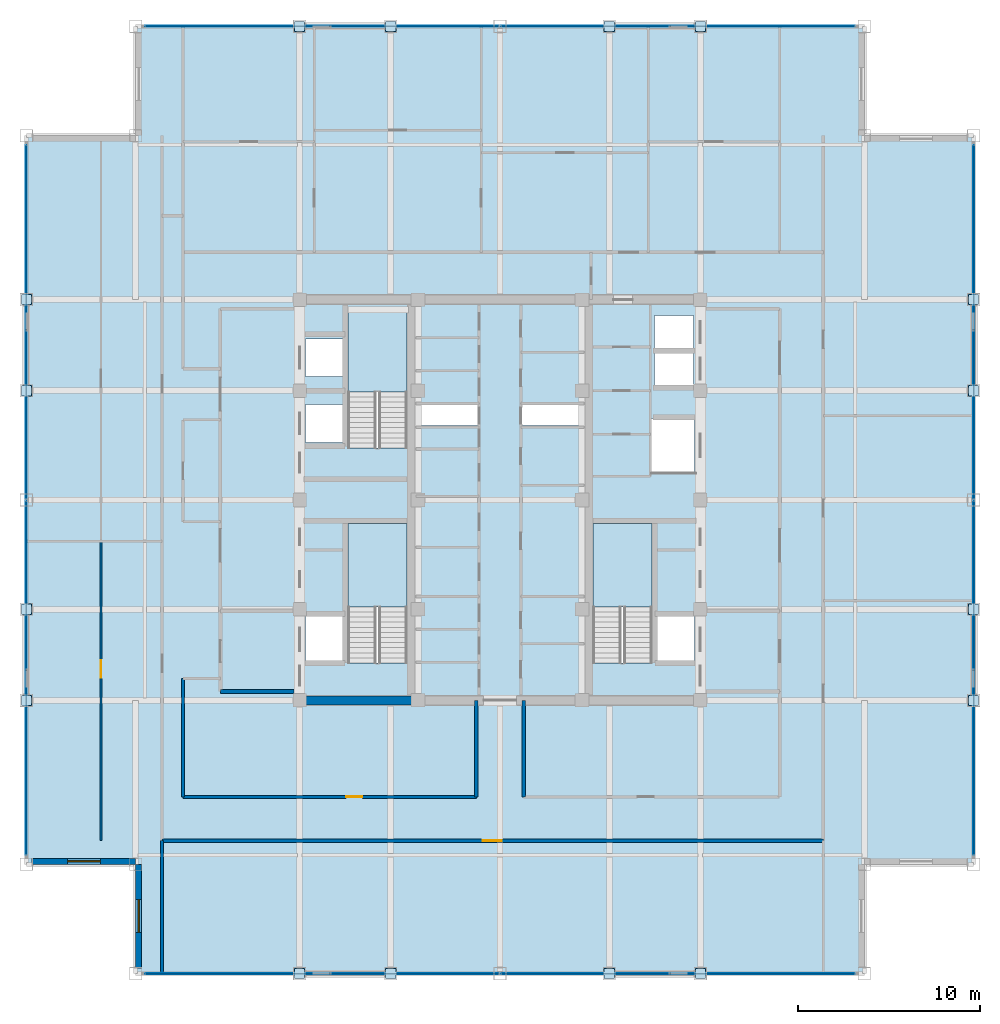
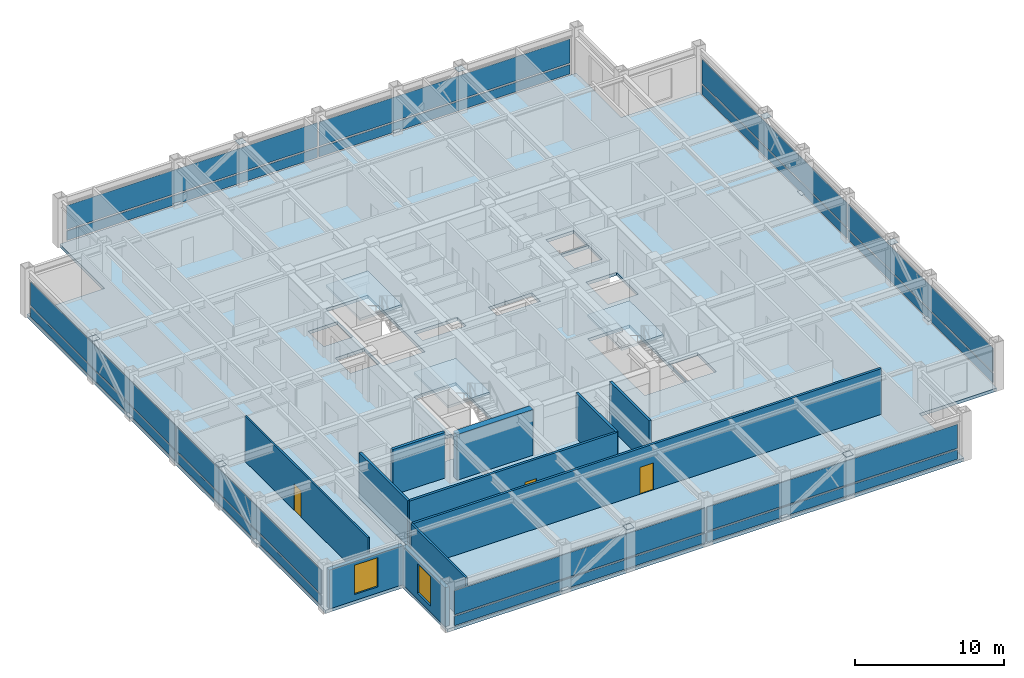
# One storey, part 23 of 29: 32 plates, 11 walls, 4 slabs, 3 doors, 2 windows, 5 openings, 7 elements without a shape of their own.
"""IFC4 building model written with IfcOpenShell, lengths in metres."""

from ifc_helpers import new_model, si_unit, direction, frame, frame_2d, origin, origin_2d, place, context, subcontext, project, spatial, polyline, rectangle, outline, extrude, source, transform, mapped, material, layer, layer_set, type_object, element, fill, aggregate, save


model = new_model("IFC4")

# Units and contexts
model_context = context("Model", 3, precision=1e-05, world=origin(), true_north=direction((0.0, 1.0)))
body_context = subcontext(model_context, "Body", "Model", "MODEL_VIEW")
ifc_project = project(units=[si_unit("LENGTHUNIT", "METRE"), si_unit("AREAUNIT", "SQUARE_METRE"), si_unit("VOLUMEUNIT", "CUBIC_METRE"), si_unit("PLANEANGLEUNIT", "RADIAN"), si_unit("MASSUNIT", "GRAM", prefix="KILO")], contexts=[model_context])

# Site, building, storey
site_placement = place(None, origin())
site = spatial("IfcSite", under=ifc_project, at=site_placement, CompositionType="ELEMENT")
building_placement = place(site_placement, origin())
building = spatial("IfcBuilding", under=site, at=building_placement, Name="Khorayat Bourse Tower", CompositionType="ELEMENT")
storey_placement = place(building_placement, frame((0.0, 0.0, 362.300048828125)))
storey = spatial("IfcBuildingStorey", under=building, at=storey_placement, Name="L86", CompositionType="ELEMENT", Elevation=362.300048828125)

# Stair, slab
ifc_material_1 = material(Name="Concrete C40/50", Category="concrete")
stair_type = type_object("IfcStairType", Name="STR-CORE-1550", PredefinedType="HALF_TURN_STAIR", material=ifc_material_1)
stair_1_placement = place(storey_placement, origin())
stair_1 = element("IfcStair", 1, at=stair_1_placement, inside=storey, type_object=stair_type, Name="L86 Exit Stair ST-1", PredefinedType="HALF_TURN_STAIR")
ifc_layer_1 = layer(ifc_material_1, 0.199951171875)
ifc_layer_set_1 = layer_set([ifc_layer_1], Name="Concrete C40/50")
slab_type_1 = type_object("IfcSlabType", Name="SLB-LANDING-200", PredefinedType="LANDING", material=ifc_layer_set_1)
slab_1_placement = place(storey_placement, frame((0.0, 0.0, 1.800048828125)))
slab_1 = element("IfcSlab", 2, at=slab_1_placement, type_object=slab_type_1, Name="ST-1 landing 1", PredefinedType="LANDING", context=body_context, shape_type="SweptSolid", body=[
    extrude(outline(polyline([(-5.10009765625, -5.8701171875), (-5.10009765625, -1.300048828125), (-8.35009765625, -1.300048828125), (-8.35009765625, -5.8701171875), (-5.10009765625, -5.8701171875)])), origin(), (0.0, 0.0, 1.0), 0.199951171875),
])
aggregate(stair_1, [slab_1])

stair_2_placement = place(storey_placement, origin())
stair_2 = element("IfcStair", 3, at=stair_2_placement, inside=storey, type_object=stair_type, Name="L86 Exit Stair ST-2", PredefinedType="HALF_TURN_STAIR")
slab_2_placement = place(storey_placement, frame((0.0, 0.0, 1.800048828125)))
slab_2 = element("IfcSlab", 4, at=slab_2_placement, type_object=slab_type_1, Name="ST-2 landing 1", PredefinedType="LANDING", context=body_context, shape_type="SweptSolid", body=[
    extrude(outline(polyline([(-5.10009765625, 5.929931640625), (-5.10009765625, 10.5), (-8.35009765625, 10.5), (-8.35009765625, 5.929931640625), (-5.10009765625, 5.929931640625)])), origin(), (0.0, 0.0, 1.0), 0.199951171875),
])
aggregate(stair_2, [slab_2])

stair_3_placement = place(storey_placement, origin())
stair_3 = element("IfcStair", 5, at=stair_3_placement, inside=storey, type_object=stair_type, Name="L86 Exit Stair ST-3", PredefinedType="HALF_TURN_STAIR")
slab_3_placement = place(storey_placement, frame((0.0, 0.0, 1.800048828125)))
slab_3 = element("IfcSlab", 6, at=slab_3_placement, type_object=slab_type_1, Name="ST-3 landing 1", PredefinedType="LANDING", context=body_context, shape_type="SweptSolid", body=[
    extrude(outline(polyline([(8.35009765625, -5.8701171875), (8.35009765625, -1.300048828125), (5.10009765625, -1.300048828125), (5.10009765625, -5.8701171875), (8.35009765625, -5.8701171875)])), origin(), (0.0, 0.0, 1.0), 0.199951171875),
])
aggregate(stair_3, [slab_3])

# Slab
ifc_layer_2 = layer(ifc_material_1, 0.219970703125)
ifc_layer_set_2 = layer_set([ifc_layer_2], Name="Concrete C40/50")
slab_type_2 = type_object("IfcSlabType", Name="SLB-OFFICE-220", PredefinedType="FLOOR", material=ifc_layer_set_2)
slab_4_placement = place(storey_placement, frame((0.0, 0.0, -0.260009765625)))
element("IfcSlab", 7, at=slab_4_placement, inside=storey, type_object=slab_type_2, Name="L86 Main Floor Slab", PredefinedType="FLOOR", context=body_context, shape_type="SweptSolid", body=[
    extrude(outline(polyline([(-20.0, -26.0), (20.0, -26.0), (20.0, -20.0), (26.0, -20.0), (26.0, 20.0), (20.0, 20.0), (20.0, 26.0), (-20.0, 26.0), (-20.0, 20.0), (-26.0, 20.0), (-26.0, -20.0), (-20.0, -20.0), (-20.0, -26.0)]), holes=[polyline([(-8.35009765625, -8.945068359375), (-5.10009765625, -8.945068359375), (-5.10009765625, -1.300048828125), (-8.35009765625, -1.300048828125), (-8.35009765625, -8.945068359375)]), polyline([(-8.35009765625, 2.85498046875), (-5.10009765625, 2.85498046875), (-5.10009765625, 10.5), (-8.35009765625, 10.5), (-8.35009765625, 2.85498046875)]), polyline([(5.10009765625, -8.945068359375), (8.35009765625, -8.945068359375), (8.35009765625, -1.300048828125), (5.10009765625, -1.300048828125), (5.10009765625, -8.945068359375)]), polyline([(-10.679931640625, 3.169921875), (-8.419921875, 3.169921875), (-8.419921875, 5.22998046875), (-10.679931640625, 5.22998046875), (-10.679931640625, 3.169921875)]), polyline([(-10.679931640625, 6.77001953125), (-8.419921875, 6.77001953125), (-8.419921875, 8.830078125), (-10.679931640625, 8.830078125), (-10.679931640625, 6.77001953125)]), polyline([(8.469970703125, 6.27001953125), (10.6298828125, 6.27001953125), (10.6298828125, 8.1298828125), (8.469970703125, 8.1298828125), (8.469970703125, 6.27001953125)]), polyline([(8.469970703125, 8.27001953125), (10.6298828125, 8.27001953125), (10.6298828125, 10.1298828125), (8.469970703125, 10.1298828125), (8.469970703125, 8.27001953125)]), polyline([(-10.679931640625, -8.929931640625), (-8.419921875, -8.929931640625), (-8.419921875, -6.3701171875), (-10.679931640625, -6.3701171875), (-10.679931640625, -8.929931640625)]), polyline([(8.419921875, -8.929931640625), (10.679931640625, -8.929931640625), (10.679931640625, -6.3701171875), (8.419921875, -6.3701171875), (8.419921875, -8.929931640625)]), polyline([(8.320068359375, 1.52001953125), (10.679931640625, 1.52001953125), (10.679931640625, 4.47998046875), (8.320068359375, 4.47998046875), (8.320068359375, 1.52001953125)]), polyline([(-4.56005859375, 4.080078125), (-1.18994140625, 4.080078125), (-1.18994140625, 5.219970703125), (-4.56005859375, 5.219970703125), (-4.56005859375, 4.080078125)]), polyline([(1.18994140625, 4.080078125), (4.56005859375, 4.080078125), (4.56005859375, 5.219970703125), (1.18994140625, 5.219970703125), (1.18994140625, 4.080078125)])]), origin(), (0.0, 0.0, 1.0), 0.260009765625),
])

# Plates
ifc_material_2 = material(Name="Steel EN 10025-2 S355J2", Category="steel")
ifc_layer_3 = layer(ifc_material_2, 0.02490234375)
ifc_layer_set_3 = layer_set([ifc_layer_3], Name="Steel EN 10025-2 S355J2")
plate_type_1 = type_object("IfcPlateType", Name="PLT-ENDCAP-25", PredefinedType="SHEET", material=ifc_layer_set_3)
shared_shape_1 = source(origin(), body_context, "Body", "SweptSolid", [
    extrude(rectangle(XDim=0.56005859375, YDim=0.56005859375, at=origin_2d()), origin(), (0.0, 0.0, 1.0), 0.02490234375),
])
for number, where, z_axis, x_axis, name in (
    (8, (-11.0, -26.0, 0.237548828125), (0.0, 0.0, 1.0), (1.0, 0.0, 0.0), "L86 Perimeter Brace End Plate 001"),
    (9, (-6.0, -26.0, 3.4775390625), (0.0, 0.0, 1.0), (1.0, 0.0, 0.0), "L86 Perimeter Brace End Plate 002"),
    (10, (6.0, -26.0, 0.237548828125), (0.0, 0.0, 1.0), (1.0, 0.0, 0.0), "L86 Perimeter Brace End Plate 003"),
    (11, (11.0, -26.0, 3.4775390625), (0.0, 0.0, 1.0), (1.0, 0.0, 0.0), "L86 Perimeter Brace End Plate 004"),
    (12, (-11.0, 26.0, 0.237548828125), (0.0, 0.0, 1.0), (1.0, 0.0, 0.0), "L86 Perimeter Brace End Plate 005"),
    (13, (-6.0, 26.0, 3.4775390625), (0.0, 0.0, 1.0), (1.0, 0.0, 0.0), "L86 Perimeter Brace End Plate 006"),
    (14, (6.0, 26.0, 0.237548828125), (0.0, 0.0, 1.0), (1.0, 0.0, 0.0), "L86 Perimeter Brace End Plate 007"),
    (15, (11.0, 26.0, 3.4775390625), (0.0, 0.0, 1.0), (1.0, 0.0, 0.0), "L86 Perimeter Brace End Plate 008"),
    (16, (-26.0, -11.0, 0.237548828125), (0.0, 0.0, 1.0), (1.0, 0.0, 0.0), "L86 Perimeter Brace End Plate 009"),
    (17, (-26.0, -6.0, 3.4775390625), (0.0, 0.0, 1.0), (1.0, 0.0, 0.0), "L86 Perimeter Brace End Plate 010"),
    (18, (-26.0, 6.0, 0.237548828125), (0.0, 0.0, 1.0), (1.0, 0.0, 0.0), "L86 Perimeter Brace End Plate 011"),
    (19, (-26.0, 11.0, 3.4775390625), (0.0, 0.0, 1.0), (1.0, 0.0, 0.0), "L86 Perimeter Brace End Plate 012"),
    (20, (26.0, -11.0, 0.237548828125), (0.0, 0.0, 1.0), (1.0, 0.0, 0.0), "L86 Perimeter Brace End Plate 013"),
    (21, (26.0, -6.0, 3.4775390625), (0.0, 0.0, 1.0), (1.0, 0.0, 0.0), "L86 Perimeter Brace End Plate 014"),
    (22, (26.0, 6.0, 0.237548828125), (0.0, 0.0, 1.0), (1.0, 0.0, 0.0), "L86 Perimeter Brace End Plate 015"),
    (23, (26.0, 11.0, 3.4775390625), (0.0, 0.0, 1.0), (1.0, 0.0, 0.0), "L86 Perimeter Brace End Plate 016"),
):
    element("IfcPlate", number, at=place(storey_placement, frame(where, z_axis=z_axis, x_axis=x_axis)), inside=storey, type_object=plate_type_1, Name=name, PredefinedType="SHEET", context=body_context, shape_type="MappedRepresentation", body=[
        mapped(shared_shape_1, transform((0.0, 0.0, 0.0), scale=1.0)),
    ])

# Curtain wall, plates
ifc_material_3 = material(Name="Aluminium EN AW-6063 T6", Category="aluminium")
curtain_wall_type = type_object("IfcCurtainWallType", Name="CW-SYS-04", PredefinedType="NOTDEFINED", material=ifc_material_3)
curtain_wall_1_placement = place(storey_placement, origin())
curtain_wall_1 = element("IfcCurtainWall", 24, at=curtain_wall_1_placement, inside=storey, type_object=curtain_wall_type, Name="L86 Curtain Wall CW-L86-S1", PredefinedType="NOTDEFINED")
ifc_material_4 = material(Name="Honed desert limestone insulated spandrel", Category="masonry")
ifc_layer_4 = layer(ifc_material_4, 0.06494140625)
ifc_layer_set_4 = layer_set([ifc_layer_4], Name="Honed desert limestone insulated spandrel")
plate_type_2 = type_object("IfcPlateType", Name="CWP-SPAND-03", PredefinedType="CURTAIN_PANEL", material=ifc_layer_set_4)
shared_shape_2 = source(origin(), body_context, "Body", "SweptSolid", [
    extrude(rectangle(XDim=19.419921875, YDim=0.06494140625, at=origin_2d()), origin(), (0.0, 0.0, 1.0), 0.77001953125),
])
plate_1_placement = place(storey_placement, frame((-9.77001953125, -26.0, 0.119873046875), z_axis=(0.0, 0.0, 1.0), x_axis=(1.0, 0.0, 0.0)))
plate_1 = element("IfcPlate", 25, at=plate_1_placement, type_object=plate_type_2, Name="CW-L86-S1 Spandrel Panel 1-1", PredefinedType="CURTAIN_PANEL", context=body_context, shape_type="MappedRepresentation", body=[
    mapped(shared_shape_2, transform((0.0, 0.0, 0.0), scale=1.0)),
])
plate_2_placement = place(storey_placement, frame((9.77001953125, -26.0, 0.119873046875), z_axis=(0.0, 0.0, 1.0), x_axis=(1.0, 0.0, 0.0)))
plate_2 = element("IfcPlate", 26, at=plate_2_placement, type_object=plate_type_2, Name="CW-L86-S1 Spandrel Panel 2-1", PredefinedType="CURTAIN_PANEL", context=body_context, shape_type="MappedRepresentation", body=[
    mapped(shared_shape_2, transform((0.0, 0.0, 0.0), scale=1.0)),
])

curtain_wall_2_placement = place(storey_placement, origin())
curtain_wall_2 = element("IfcCurtainWall", 27, at=curtain_wall_2_placement, inside=storey, type_object=curtain_wall_type, Name="L86 Curtain Wall CW-L86-N1", PredefinedType="NOTDEFINED")
plate_3_placement = place(storey_placement, frame((-9.77001953125, 26.0, 0.119873046875), z_axis=(0.0, 0.0, 1.0), x_axis=(1.0, 0.0, 0.0)))
plate_3 = element("IfcPlate", 28, at=plate_3_placement, type_object=plate_type_2, Name="CW-L86-N1 Spandrel Panel 1-1", PredefinedType="CURTAIN_PANEL", context=body_context, shape_type="MappedRepresentation", body=[
    mapped(shared_shape_2, transform((0.0, 0.0, 0.0), scale=1.0)),
])
plate_4_placement = place(storey_placement, frame((9.77001953125, 26.0, 0.119873046875), z_axis=(0.0, 0.0, 1.0), x_axis=(1.0, 0.0, 0.0)))
plate_4 = element("IfcPlate", 29, at=plate_4_placement, type_object=plate_type_2, Name="CW-L86-N1 Spandrel Panel 2-1", PredefinedType="CURTAIN_PANEL", context=body_context, shape_type="MappedRepresentation", body=[
    mapped(shared_shape_2, transform((0.0, 0.0, 0.0), scale=1.0)),
])

curtain_wall_3_placement = place(storey_placement, origin())
curtain_wall_3 = element("IfcCurtainWall", 30, at=curtain_wall_3_placement, inside=storey, type_object=curtain_wall_type, Name="L86 Curtain Wall CW-L86-W1", PredefinedType="NOTDEFINED")
plate_5_placement = place(storey_placement, frame((-26.0, -9.77001953125, 0.119873046875), z_axis=(0.0, 0.0, 1.0), x_axis=(0.0, 1.0, 0.0)))
plate_5 = element("IfcPlate", 31, at=plate_5_placement, type_object=plate_type_2, Name="CW-L86-W1 Spandrel Panel 1-1", PredefinedType="CURTAIN_PANEL", context=body_context, shape_type="MappedRepresentation", body=[
    mapped(shared_shape_2, transform((0.0, 0.0, 0.0), scale=1.0)),
])
plate_6_placement = place(storey_placement, frame((-26.0, 9.77001953125, 0.119873046875), z_axis=(0.0, 0.0, 1.0), x_axis=(0.0, 1.0, 0.0)))
plate_6 = element("IfcPlate", 32, at=plate_6_placement, type_object=plate_type_2, Name="CW-L86-W1 Spandrel Panel 2-1", PredefinedType="CURTAIN_PANEL", context=body_context, shape_type="MappedRepresentation", body=[
    mapped(shared_shape_2, transform((0.0, 0.0, 0.0), scale=1.0)),
])

curtain_wall_4_placement = place(storey_placement, origin())
curtain_wall_4 = element("IfcCurtainWall", 33, at=curtain_wall_4_placement, inside=storey, type_object=curtain_wall_type, Name="L86 Curtain Wall CW-L86-E1", PredefinedType="NOTDEFINED")
plate_7_placement = place(storey_placement, frame((26.0, -9.77001953125, 0.119873046875), z_axis=(0.0, 0.0, 1.0), x_axis=(0.0, 1.0, 0.0)))
plate_7 = element("IfcPlate", 34, at=plate_7_placement, type_object=plate_type_2, Name="CW-L86-E1 Spandrel Panel 1-1", PredefinedType="CURTAIN_PANEL", context=body_context, shape_type="MappedRepresentation", body=[
    mapped(shared_shape_2, transform((0.0, 0.0, 0.0), scale=1.0)),
])
plate_8_placement = place(storey_placement, frame((26.0, 9.77001953125, 0.119873046875), z_axis=(0.0, 0.0, 1.0), x_axis=(0.0, 1.0, 0.0)))
plate_8 = element("IfcPlate", 35, at=plate_8_placement, type_object=plate_type_2, Name="CW-L86-E1 Spandrel Panel 2-1", PredefinedType="CURTAIN_PANEL", context=body_context, shape_type="MappedRepresentation", body=[
    mapped(shared_shape_2, transform((0.0, 0.0, 0.0), scale=1.0)),
])

# Plate
ifc_material_5 = material(Name="Low-E solar-control laminated double glazing", Category="glass")
ifc_layer_5 = layer(ifc_material_5, 0.0419921875)
ifc_layer_set_5 = layer_set([ifc_layer_5], Name="Low-E solar-control laminated double glazing")
plate_type_3 = type_object("IfcPlateType", Name="CWP-FACET-02", PredefinedType="CURTAIN_PANEL", material=ifc_layer_set_5)
shared_shape_3 = source(origin(), body_context, "Body", "SweptSolid", [
    extrude(rectangle(XDim=19.419921875, YDim=0.0419921875, at=origin_2d()), origin(), (0.0, 0.0, 1.0), 1.9599609375),
])
plate_9_placement = place(storey_placement, frame((-9.77001953125, -26.0, 1.010009765625), z_axis=(0.0, 0.0, 1.0), x_axis=(1.0, 0.0, 0.0)))
plate_9 = element("IfcPlate", 36, at=plate_9_placement, type_object=plate_type_3, Name="CW-L86-S1 Vision Panel 1-2", PredefinedType="CURTAIN_PANEL", context=body_context, shape_type="MappedRepresentation", body=[
    mapped(shared_shape_3, transform((0.0, 0.0, 0.0), scale=1.0)),
])

plate_10_placement = place(storey_placement, frame((9.77001953125, -26.0, 1.010009765625), z_axis=(0.0, 0.0, 1.0), x_axis=(1.0, 0.0, 0.0)))
plate_10 = element("IfcPlate", 37, at=plate_10_placement, type_object=plate_type_3, Name="CW-L86-S1 Vision Panel 2-2", PredefinedType="CURTAIN_PANEL", context=body_context, shape_type="MappedRepresentation", body=[
    mapped(shared_shape_3, transform((0.0, 0.0, 0.0), scale=1.0)),
])

aggregate(curtain_wall_1, [plate_1, plate_9, plate_2, plate_10])

plate_11_placement = place(storey_placement, frame((-9.77001953125, 26.0, 1.010009765625), z_axis=(0.0, 0.0, 1.0), x_axis=(1.0, 0.0, 0.0)))
plate_11 = element("IfcPlate", 38, at=plate_11_placement, type_object=plate_type_3, Name="CW-L86-N1 Vision Panel 1-2", PredefinedType="CURTAIN_PANEL", context=body_context, shape_type="MappedRepresentation", body=[
    mapped(shared_shape_3, transform((0.0, 0.0, 0.0), scale=1.0)),
])

plate_12_placement = place(storey_placement, frame((9.77001953125, 26.0, 1.010009765625), z_axis=(0.0, 0.0, 1.0), x_axis=(1.0, 0.0, 0.0)))
plate_12 = element("IfcPlate", 39, at=plate_12_placement, type_object=plate_type_3, Name="CW-L86-N1 Vision Panel 2-2", PredefinedType="CURTAIN_PANEL", context=body_context, shape_type="MappedRepresentation", body=[
    mapped(shared_shape_3, transform((0.0, 0.0, 0.0), scale=1.0)),
])

aggregate(curtain_wall_2, [plate_3, plate_11, plate_4, plate_12])

plate_13_placement = place(storey_placement, frame((-26.0, -9.77001953125, 1.010009765625), z_axis=(0.0, 0.0, 1.0), x_axis=(0.0, 1.0, 0.0)))
plate_13 = element("IfcPlate", 40, at=plate_13_placement, type_object=plate_type_3, Name="CW-L86-W1 Vision Panel 1-2", PredefinedType="CURTAIN_PANEL", context=body_context, shape_type="MappedRepresentation", body=[
    mapped(shared_shape_3, transform((0.0, 0.0, 0.0), scale=1.0)),
])

plate_14_placement = place(storey_placement, frame((-26.0, 9.77001953125, 1.010009765625), z_axis=(0.0, 0.0, 1.0), x_axis=(0.0, 1.0, 0.0)))
plate_14 = element("IfcPlate", 41, at=plate_14_placement, type_object=plate_type_3, Name="CW-L86-W1 Vision Panel 2-2", PredefinedType="CURTAIN_PANEL", context=body_context, shape_type="MappedRepresentation", body=[
    mapped(shared_shape_3, transform((0.0, 0.0, 0.0), scale=1.0)),
])

aggregate(curtain_wall_3, [plate_5, plate_13, plate_6, plate_14])

plate_15_placement = place(storey_placement, frame((26.0, -9.77001953125, 1.010009765625), z_axis=(0.0, 0.0, 1.0), x_axis=(0.0, 1.0, 0.0)))
plate_15 = element("IfcPlate", 42, at=plate_15_placement, type_object=plate_type_3, Name="CW-L86-E1 Vision Panel 1-2", PredefinedType="CURTAIN_PANEL", context=body_context, shape_type="MappedRepresentation", body=[
    mapped(shared_shape_3, transform((0.0, 0.0, 0.0), scale=1.0)),
])

plate_16_placement = place(storey_placement, frame((26.0, 9.77001953125, 1.010009765625), z_axis=(0.0, 0.0, 1.0), x_axis=(0.0, 1.0, 0.0)))
plate_16 = element("IfcPlate", 43, at=plate_16_placement, type_object=plate_type_3, Name="CW-L86-E1 Vision Panel 2-2", PredefinedType="CURTAIN_PANEL", context=body_context, shape_type="MappedRepresentation", body=[
    mapped(shared_shape_3, transform((0.0, 0.0, 0.0), scale=1.0)),
])

aggregate(curtain_wall_4, [plate_7, plate_15, plate_8, plate_16])

# Wall
ifc_material_6 = material(Name="Concrete C52/65", Category="concrete")
ifc_layer_6 = layer(ifc_material_6, 0.5)
ifc_layer_set_6 = layer_set([ifc_layer_6], Name="Concrete C52/65")
wall_type_1 = type_object("IfcWallType", Name="WAL-CORE-500", PredefinedType="SHEAR", material=ifc_layer_set_6)
shared_shape_4 = source(origin(), body_context, "Body", "SweptSolid", [
    extrude(rectangle(XDim=5.89990234375, YDim=0.5, at=frame_2d((2.949951171875, 0.0))), origin(), (0.0, 0.0, 1.0), 3.739990234375),
])
wall_1_placement = place(storey_placement, frame((-10.75, -11.0, 0.0), z_axis=(0.0, 0.0, 1.0), x_axis=(1.0, 0.0, 0.0)))
element("IfcWall", 44, at=wall_1_placement, inside=storey, type_object=wall_type_1, Name="L86 Core Shear Wall PIER-WS", PredefinedType="SHEAR", context=body_context, shape_type="MappedRepresentation", body=[
    mapped(shared_shape_4, transform((0.0, 0.0, 0.0), scale=1.0)),
])

# Wall, opening, window
ifc_material_7 = material(Name="Precast concrete C45/55", Category="concrete")
ifc_layer_7 = layer(ifc_material_7, 0.320068359375)
ifc_layer_set_7 = layer_set([ifc_layer_7], Name="Precast concrete C45/55")
wall_type_2 = type_object("IfcWallType", Name="WAL-EXT-STONE-320", PredefinedType="STANDARD", material=ifc_layer_set_7)
shared_shape_5 = source(origin(), body_context, "Body", "SweptSolid", [
    extrude(rectangle(XDim=5.679931640625, YDim=0.320068359375, at=frame_2d((2.83984375, 0.0))), origin(), (0.0, 0.0, 1.0), 3.19091796875),
])
wall_2_placement = place(storey_placement, frame((-20.0, -19.840087890625, 0.0), z_axis=(0.0, 0.0, 1.0), x_axis=(-1.0, 0.0, 0.0)))
wall_2 = element("IfcWall", 45, at=wall_2_placement, inside=storey, type_object=wall_type_2, Name="L86 Re-Entrant Notch Limestone Wall SW-H", PredefinedType="STANDARD", context=body_context, shape_type="MappedRepresentation", body=[
    mapped(shared_shape_5, transform((0.0, 0.0, 0.0), scale=1.0)),
])
shared_shape_6 = source(origin(), body_context, "Body", "SweptSolid", [
    extrude(rectangle(XDim=1.800048828125, YDim=2.39990234375, at=frame_2d((0.89990234375, 1.199951171875))), frame((0.0, 0.169921875, 0.0), z_axis=(0.0, -1.0, 0.0), x_axis=(1.0, 0.0, 0.0)), (0.0, 0.0, 1.0), 0.340087890625),
])
opening_1_placement = place(wall_2_placement, frame((1.93994140625, 0.0, 0.5)))
opening_1 = element("IfcOpeningElement", 46, at=opening_1_placement, cuts=wall_2, Name="Opening WN-04", PredefinedType="OPENING", context=body_context, shape_type="MappedRepresentation", body=[
    mapped(shared_shape_6, transform((0.0, 0.0, 0.0), scale=1.0)),
])
ifc_material_8 = material(Name="Low-E acoustic laminated double glazing", Category="glass")
window_type = type_object("IfcWindowType", Name="WIN-NOTCH-1800x2400", PartitioningType="SINGLE_PANEL", PredefinedType="WINDOW", material=ifc_material_8)
shared_shape_7 = source(origin(), body_context, "Body", "SweptSolid", [
    extrude(rectangle(XDim=1.800048828125, YDim=2.39990234375, at=frame_2d((0.89990234375, 1.199951171875))), frame((0.0, 0.030029296875, 0.0), z_axis=(0.0, -1.0, 0.0), x_axis=(1.0, 0.0, 0.0)), (0.0, 0.0, 1.0), 0.06005859375),
])
window_1_placement = place(opening_1_placement, origin())
window_1 = element("IfcWindow", 47, at=window_1_placement, inside=storey, type_object=window_type, Name="L86 Facade Window 1", OverallHeight=2.39990234375, OverallWidth=1.800048828125, PartitioningType="SINGLE_PANEL", PredefinedType="WINDOW", context=body_context, shape_type="MappedRepresentation", body=[
    mapped(shared_shape_7, transform((0.0, 0.0, 0.0), scale=1.0)),
])
fill(opening_1, window_1)

wall_3_placement = place(storey_placement, frame((-19.840087890625, -25.679931640625, 0.0), z_axis=(0.0, 0.0, 1.0), x_axis=(0.0, 1.0, 0.0)))
wall_3 = element("IfcWall", 48, at=wall_3_placement, inside=storey, type_object=wall_type_2, Name="L86 Re-Entrant Notch Limestone Wall SW-V", PredefinedType="STANDARD", context=body_context, shape_type="MappedRepresentation", body=[
    mapped(shared_shape_5, transform((0.0, 0.0, 0.0), scale=1.0)),
])
opening_2_placement = place(wall_3_placement, frame((1.93994140625, 0.0, 0.5)))
opening_2 = element("IfcOpeningElement", 49, at=opening_2_placement, cuts=wall_3, Name="Opening WN-04", PredefinedType="OPENING", context=body_context, shape_type="MappedRepresentation", body=[
    mapped(shared_shape_6, transform((0.0, 0.0, 0.0), scale=1.0)),
])
window_2_placement = place(opening_2_placement, origin())
window_2 = element("IfcWindow", 50, at=window_2_placement, inside=storey, type_object=window_type, Name="L86 Facade Window 1", OverallHeight=2.39990234375, OverallWidth=1.800048828125, PartitioningType="SINGLE_PANEL", PredefinedType="WINDOW", context=body_context, shape_type="MappedRepresentation", body=[
    mapped(shared_shape_7, transform((0.0, 0.0, 0.0), scale=1.0)),
])
fill(opening_2, window_2)

# Wall
ifc_material_9 = material(Name="Aerated concrete blockwork", Category="masonry")
ifc_layer_8 = layer(ifc_material_9, 0.219970703125)
ifc_layer_set_8 = layer_set([ifc_layer_8], Name="Aerated concrete blockwork")
wall_type_3 = type_object("IfcWallType", Name="WAL-PART-FF-220", PredefinedType="PARTITIONING", material=ifc_layer_set_8)
shared_shape_8 = source(origin(), body_context, "Body", "SweptSolid", [
    extrude(rectangle(XDim=4.050048828125, YDim=0.219970703125, at=frame_2d((2.02490234375, 0.0))), origin(), (0.0, 0.0, 1.0), 3.739990234375),
])
wall_4_placement = place(storey_placement, frame((-15.35009765625, -10.5, 0.0), z_axis=(0.0, 0.0, 1.0), x_axis=(1.0, 0.0, 0.0)))
element("IfcWall", 51, at=wall_4_placement, inside=storey, type_object=wall_type_3, Name="L86 Partition WAL-L86-FFLW-S", PredefinedType="PARTITIONING", context=body_context, shape_type="MappedRepresentation", body=[
    mapped(shared_shape_8, transform((0.0, 0.0, 0.0), scale=1.0)),
])

# Wall, opening, door
ifc_material_10 = material(Name="Gypsum plasterboard acoustic stud wall")
ifc_layer_9 = layer(ifc_material_10, 0.179931640625)
ifc_layer_set_9 = layer_set([ifc_layer_9], Name="Gypsum plasterboard acoustic stud wall")
wall_type_4 = type_object("IfcWallType", Name="WAL-PART-CORR-180", PredefinedType="PARTITIONING", material=ifc_layer_set_9)
shared_shape_9 = source(origin(), body_context, "Body", "SweptSolid", [
    extrude(rectangle(XDim=16.099853515625, YDim=0.179931640625, at=frame_2d((8.0498046875, 0.0))), origin(), (0.0, 0.0, 1.0), 3.739990234375),
])
wall_5_placement = place(storey_placement, frame((-17.39990234375, -16.300048828125, 0.0), z_axis=(0.0, 0.0, 1.0), x_axis=(1.0, 0.0, 0.0)))
wall_5 = element("IfcWall", 52, at=wall_5_placement, inside=storey, type_object=wall_type_4, Name="L86 Partition WAL-L86-PKSW-S", PredefinedType="PARTITIONING", context=body_context, shape_type="MappedRepresentation", body=[
    mapped(shared_shape_9, transform((0.0, 0.0, 0.0), scale=1.0)),
])
shared_shape_10 = source(origin(), body_context, "Body", "SweptSolid", [
    extrude(rectangle(XDim=0.89990234375, YDim=2.14990234375, at=frame_2d((0.449951171875, 1.074951171875))), frame((0.0, 0.099853515625, 0.0), z_axis=(0.0, -1.0, 0.0), x_axis=(1.0, 0.0, 0.0)), (0.0, 0.0, 1.0), 0.199951171875),
])
opening_3_placement = place(wall_5_placement, frame((8.949951171875, 0.0, 0.0)))
opening_3 = element("IfcOpeningElement", 53, at=opening_3_placement, cuts=wall_5, Name="Opening DI-06", PredefinedType="OPENING", context=body_context, shape_type="MappedRepresentation", body=[
    mapped(shared_shape_10, transform((0.0, 0.0, 0.0), scale=1.0)),
])
ifc_material_11 = material(Name="Moisture-resistant laminate washroom door")
door_type_1 = type_object("IfcDoorType", Name="DR-INT-WC-900", OperationType="NOTDEFINED", PredefinedType="DOOR", material=ifc_material_11)
shared_shape_11 = source(origin(), body_context, "Body", "SweptSolid", [
    extrude(rectangle(XDim=0.89990234375, YDim=2.14990234375, at=frame_2d((0.449951171875, 1.074951171875))), frame((0.0, 0.02490234375, 0.0), z_axis=(0.0, -1.0, 0.0), x_axis=(1.0, 0.0, 0.0)), (0.0, 0.0, 1.0), 0.050048828125),
])
door_1_placement = place(opening_3_placement, origin())
door_1 = element("IfcDoor", 54, at=door_1_placement, inside=storey, type_object=door_type_1, Name="L86 SW Inboard Pantry Door", OperationType="SINGLE_SWING_LEFT", OverallHeight=2.14990234375, OverallWidth=0.89990234375, PredefinedType="DOOR", context=body_context, shape_type="MappedRepresentation", body=[
    mapped(shared_shape_11, transform((0.0, 0.0, 0.0), scale=1.0)),
])
fill(opening_3, door_1)

# Wall
shared_shape_12 = source(origin(), body_context, "Body", "SweptSolid", [
    extrude(rectangle(XDim=6.5, YDim=0.179931640625, at=frame_2d((3.25, 0.0))), origin(), (0.0, 0.0, 1.0), 3.739990234375),
])
wall_6_placement = place(storey_placement, frame((-17.39990234375, -16.300048828125, 0.0), z_axis=(0.0, 0.0, 1.0), x_axis=(0.0, 1.0, 0.0)))
element("IfcWall", 55, at=wall_6_placement, inside=storey, type_object=wall_type_4, Name="L86 Partition WAL-L86-PKSW-W", PredefinedType="PARTITIONING", context=body_context, shape_type="MappedRepresentation", body=[
    mapped(shared_shape_12, transform((0.0, 0.0, 0.0), scale=1.0)),
])

# Wall, opening, door
shared_shape_13 = source(origin(), body_context, "Body", "SweptSolid", [
    extrude(rectangle(XDim=36.300048828125, YDim=0.179931640625, at=frame_2d((18.14990234375, 0.0))), origin(), (0.0, 0.0, 1.0), 3.739990234375),
])
wall_7_placement = place(storey_placement, frame((-18.550048828125, -18.699951171875, 0.0), z_axis=(0.0, 0.0, 1.0), x_axis=(1.0, 0.0, 0.0)))
wall_7 = element("IfcWall", 56, at=wall_7_placement, inside=storey, type_object=wall_type_4, Name="L86 Partition WAL-L86-SCORR", PredefinedType="PARTITIONING", context=body_context, shape_type="MappedRepresentation", body=[
    mapped(shared_shape_13, transform((0.0, 0.0, 0.0), scale=1.0)),
])
shared_shape_14 = source(origin(), body_context, "Body", "SweptSolid", [
    extrude(rectangle(XDim=1.050048828125, YDim=2.199951171875, at=frame_2d((0.52490234375, 1.10009765625))), frame((0.0, 0.099853515625, 0.0), z_axis=(0.0, -1.0, 0.0), x_axis=(1.0, 0.0, 0.0)), (0.0, 0.0, 1.0), 0.199951171875),
])
opening_4_placement = place(wall_7_placement, frame((17.60009765625, 0.0, 0.0)))
opening_4 = element("IfcOpeningElement", 57, at=opening_4_placement, cuts=wall_7, Name="Opening DI-04", PredefinedType="OPENING", context=body_context, shape_type="MappedRepresentation", body=[
    mapped(shared_shape_14, transform((0.0, 0.0, 0.0), scale=1.0)),
])
ifc_material_12 = material(Name="Fire-rated oak veneer suite entrance door")
door_type_2 = type_object("IfcDoorType", Name="DR-INT-SUITE-1050", OperationType="NOTDEFINED", PredefinedType="DOOR", material=ifc_material_12)
shared_shape_15 = source(origin(), body_context, "Body", "SweptSolid", [
    extrude(rectangle(XDim=1.050048828125, YDim=2.199951171875, at=frame_2d((0.52490234375, 1.10009765625))), frame((0.0, 0.02490234375, 0.0), z_axis=(0.0, -1.0, 0.0), x_axis=(1.0, 0.0, 0.0)), (0.0, 0.0, 1.0), 0.050048828125),
])
door_2_placement = place(opening_4_placement, origin())
door_2 = element("IfcDoor", 58, at=door_2_placement, inside=storey, type_object=door_type_2, Name="L86 Issuer Listing Showroom S1 Door", OperationType="SINGLE_SWING_RIGHT", OverallHeight=2.199951171875, OverallWidth=1.050048828125, PredefinedType="DOOR", context=body_context, shape_type="MappedRepresentation", body=[
    mapped(shared_shape_15, transform((0.0, 0.0, 0.0), scale=1.0)),
])
fill(opening_4, door_2)

# Walls
shared_shape_16 = source(origin(), body_context, "Body", "SweptSolid", [
    extrude(rectangle(XDim=5.300048828125, YDim=0.179931640625, at=frame_2d((2.64990234375, 0.0))), origin(), (0.0, 0.0, 1.0), 3.739990234375),
])
for number, where, z_axis, x_axis, name in (
    (59, (-1.300048828125, -16.300048828125, 0.0), (0.0, 0.0, 1.0), (0.0, 1.0, 0.0), "L86 Partition WAL-L86-PKSW-E"),
    (60, (1.300048828125, -16.300048828125, 0.0), (0.0, 0.0, 1.0), (0.0, 1.0, 0.0), "L86 Partition WAL-L86-PKSE-W"),
):
    element("IfcWall", number, at=place(storey_placement, frame(where, z_axis=z_axis, x_axis=x_axis)), inside=storey, type_object=wall_type_4, Name=name, PredefinedType="PARTITIONING", context=body_context, shape_type="MappedRepresentation", body=[
        mapped(shared_shape_16, transform((0.0, 0.0, 0.0), scale=1.0)),
    ])
ifc_material_13 = material(Name="Gypsum plasterboard twin-frame partition")
ifc_layer_10 = layer(ifc_material_13, 0.14990234375)
ifc_layer_set_10 = layer_set([ifc_layer_10], Name="Gypsum plasterboard twin-frame partition")
wall_type_5 = type_object("IfcWallType", Name="WAL-PART-SUITE-150", PredefinedType="PARTITIONING", material=ifc_layer_set_10)
shared_shape_17 = source(origin(), body_context, "Body", "SweptSolid", [
    extrude(rectangle(XDim=7.300048828125, YDim=0.14990234375, at=frame_2d((3.64990234375, 0.0))), origin(), (0.0, 0.0, 1.0), 3.739990234375),
])
wall_8_placement = place(storey_placement, frame((-18.550048828125, -26.0, 0.0), z_axis=(0.0, 0.0, 1.0), x_axis=(0.0, 1.0, 0.0)))
element("IfcWall", 61, at=wall_8_placement, inside=storey, type_object=wall_type_5, Name="L86 Partition WAL-L86-SCW-END", PredefinedType="PARTITIONING", context=body_context, shape_type="MappedRepresentation", body=[
    mapped(shared_shape_17, transform((0.0, 0.0, 0.0), scale=1.0)),
])

# Wall, opening, door
ifc_material_14 = material(Name="Gypsum plasterboard partition")
ifc_layer_11 = layer(ifc_material_14, 0.125)
ifc_layer_set_11 = layer_set([ifc_layer_11], Name="Gypsum plasterboard partition")
wall_type_6 = type_object("IfcWallType", Name="WAL-PART-ROOM-125", PredefinedType="PARTITIONING", material=ifc_layer_set_11)
shared_shape_18 = source(origin(), body_context, "Body", "SweptSolid", [
    extrude(rectangle(XDim=16.43603515625, YDim=0.125, at=frame_2d((8.218017578125, 0.0))), origin(), (0.0, 0.0, 1.0), 3.739990234375),
])
wall_9_placement = place(storey_placement, frame((-21.902587890625, -18.699951171875, 0.0), z_axis=(0.0, 0.0, 1.0), x_axis=(0.0, 1.0, 0.0)))
wall_9 = element("IfcWall", 62, at=wall_9_placement, inside=storey, type_object=wall_type_6, Name="L86 Partition WAL-L86-WDP-1", PredefinedType="PARTITIONING", context=body_context, shape_type="MappedRepresentation", body=[
    mapped(shared_shape_18, transform((0.0, 0.0, 0.0), scale=1.0)),
])
shared_shape_19 = source(origin(), body_context, "Body", "SweptSolid", [
    extrude(rectangle(XDim=0.949951171875, YDim=2.14990234375, at=frame_2d((0.47509765625, 1.074951171875))), frame((0.0, 0.072509765625, 0.0), z_axis=(0.0, -1.0, 0.0), x_axis=(1.0, 0.0, 0.0)), (0.0, 0.0, 1.0), 0.14501953125),
])
opening_5_placement = place(wall_9_placement, frame((8.943115234375, 0.0, 0.0)))
opening_5 = element("IfcOpeningElement", 63, at=opening_5_placement, cuts=wall_9, Name="Opening DI-05", PredefinedType="OPENING", context=body_context, shape_type="MappedRepresentation", body=[
    mapped(shared_shape_19, transform((0.0, 0.0, 0.0), scale=1.0)),
])
ifc_material_15 = material(Name="Acoustic oak veneer office door")
door_type_3 = type_object("IfcDoorType", Name="DR-INT-OFFICE-950", OperationType="NOTDEFINED", PredefinedType="DOOR", material=ifc_material_15)
shared_shape_20 = source(origin(), body_context, "Body", "SweptSolid", [
    extrude(rectangle(XDim=0.949951171875, YDim=2.14990234375, at=frame_2d((0.47509765625, 1.074951171875))), frame((0.0, 0.02490234375, 0.0), z_axis=(0.0, -1.0, 0.0), x_axis=(1.0, 0.0, 0.0)), (0.0, 0.0, 1.0), 0.050048828125),
])
door_3_placement = place(opening_5_placement, origin())
door_3 = element("IfcDoor", 64, at=door_3_placement, inside=storey, type_object=door_type_3, Name="L86 Issuer Listing Showroom W1B Door", OperationType="SINGLE_SWING_RIGHT", OverallHeight=2.14990234375, OverallWidth=0.949951171875, PredefinedType="DOOR", context=body_context, shape_type="MappedRepresentation", body=[
    mapped(shared_shape_20, transform((0.0, 0.0, 0.0), scale=1.0)),
])
fill(opening_5, door_3)

save(model, "model.ifc")
